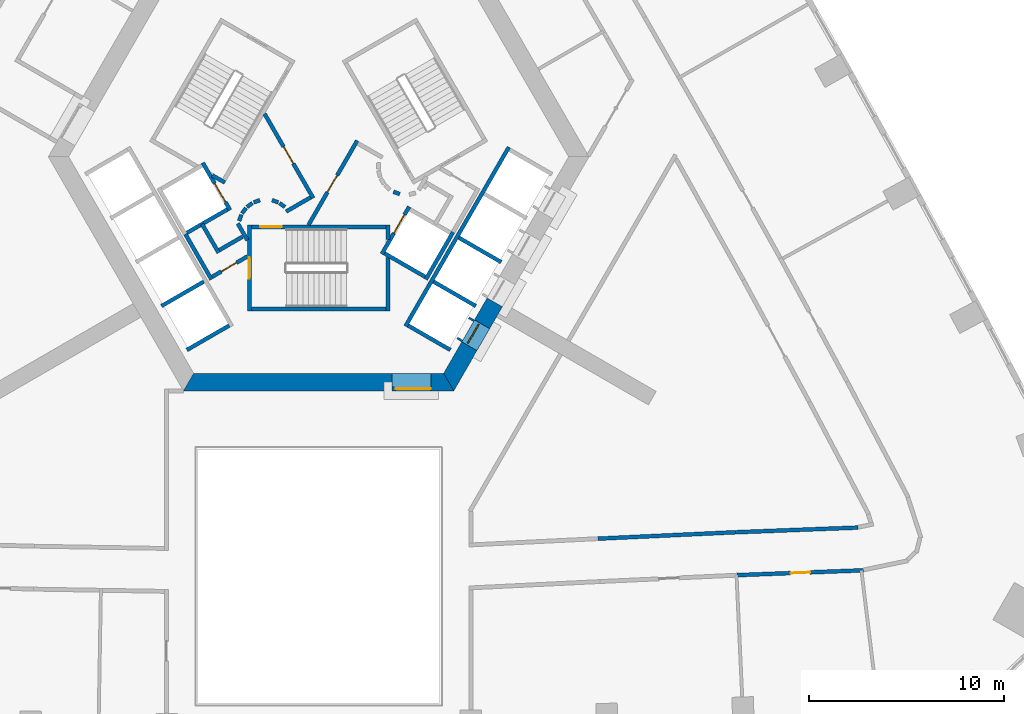
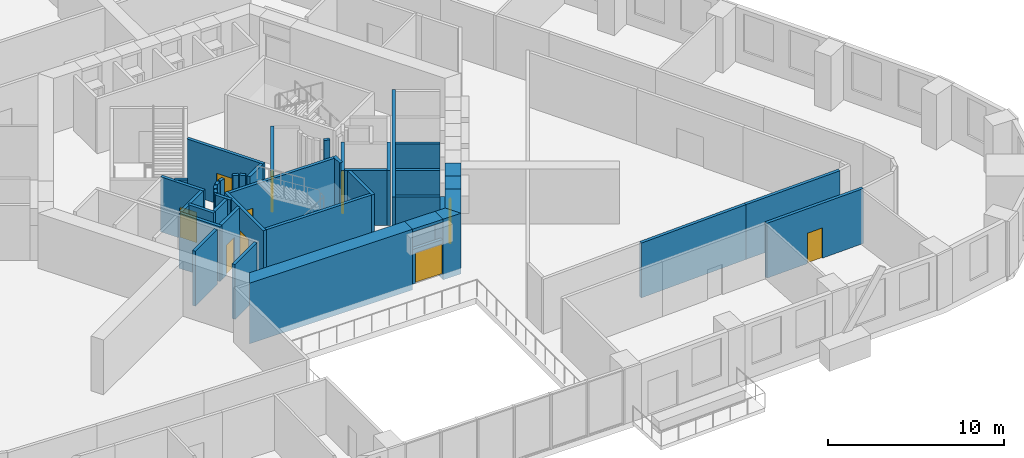
# One storey, part 6 of 14: 43 walls, 10 doors, 10 openings.
"""IFC4 building model written with IfcOpenShell, lengths in metres."""

from ifc_helpers import new_model, si_unit, direction, frame, frame_2d, origin, place, context, subcontext, project, spatial, polyline, rectangle, outline, extrude, material, layer, layer_set, type_object, element, fill, save


model = new_model("IFC4")

# Units and contexts
model_context = context("Model", 3, precision=1e-05, world=origin(), true_north=direction((0.0, 1.0)))
body_context = subcontext(model_context, "Body", "Model", "MODEL_VIEW")
ifc_project = project(units=[si_unit("LENGTHUNIT", "METRE"), si_unit("AREAUNIT", "SQUARE_METRE"), si_unit("VOLUMEUNIT", "CUBIC_METRE"), si_unit("PLANEANGLEUNIT", "RADIAN"), si_unit("MASSUNIT", "GRAM", prefix="KILO")], contexts=[model_context])

# Site, building, storey
site_placement = place(None, origin())
site = spatial("IfcSite", under=ifc_project, at=site_placement, CompositionType="ELEMENT")
building_placement = place(site_placement, origin())
building = spatial("IfcBuilding", under=site, at=building_placement, Name="Entoto Arch Interchange Tower", CompositionType="ELEMENT")
storey_placement = place(building_placement, frame((0.0, 0.0, 116.0)))
storey = spatial("IfcBuildingStorey", under=building, at=storey_placement, Name="L25", CompositionType="ELEMENT", Elevation=116.0)

# Wall, opening, door
ifc_material_1 = material(Name="Reinforced concrete C40/50", Category="concrete")
ifc_layer_1 = layer(ifc_material_1, 0.199951171875)
ifc_layer_set_1 = layer_set([ifc_layer_1], Name="Reinforced concrete C40/50")
wall_type_1 = type_object("IfcWallType", Name="CORE GAP INFILL WALL", PredefinedType="PARTITIONING", material=ifc_layer_set_1)
wall_1_placement = place(storey_placement, frame((3.75, -9.39990234375, 0.0), z_axis=(0.0, 0.0, 1.0), x_axis=(1.0, 0.0, 0.0)))
wall_1 = element("IfcWall", 1, at=wall_1_placement, inside=storey, type_object=wall_type_1, Name="wall:L25:gap1", PredefinedType="PARTITIONING", context=body_context, shape_type="SweptSolid", body=[
    extrude(rectangle(XDim=2.0, YDim=0.199951171875, at=frame_2d((1.0, 0.0))), origin(), (0.0, 0.0, 1.0), 2.39990234375),
])
opening_1_placement = place(wall_1_placement, frame((0.18994140625, 0.0, 0.0)))
opening_1 = element("IfcOpeningElement", 2, at=opening_1_placement, cuts=wall_1, Name="Opening L25-D91", PredefinedType="OPENING", context=body_context, shape_type="SweptSolid", body=[
    extrude(rectangle(XDim=1.800048828125, YDim=2.10009765625, at=frame_2d((0.89990234375, 1.050048828125))), frame((0.0, 0.10986328125, 0.0), z_axis=(0.0, -1.0, 0.0), x_axis=(1.0, 0.0, 0.0)), (0.0, 0.0, 1.0), 0.219970703125),
])
ifc_material_2 = material(Name="Fire-rated Steel S235 door and frame", Category="steel")
door_type_1 = type_object("IfcDoorType", Name="DOOR FD-18 1800x2100", OperationType="DOUBLE_DOOR_SINGLE_SWING", PredefinedType="DOOR", material=ifc_material_2)
door_1_placement = place(opening_1_placement, origin())
door_1 = element("IfcDoor", 3, at=door_1_placement, inside=storey, type_object=door_type_1, Name="door:L25:gap1", OperationType="DOUBLE_DOOR_SINGLE_SWING", OverallHeight=2.10009765625, OverallWidth=1.800048828125, PredefinedType="DOOR", context=body_context, shape_type="SweptSolid", body=[
    extrude(rectangle(XDim=1.800048828125, YDim=2.10009765625, at=frame_2d((0.89990234375, 1.050048828125))), frame((0.0, 0.02490234375, 0.0), z_axis=(0.0, -1.0, 0.0), x_axis=(1.0, 0.0, 0.0)), (0.0, 0.0, 1.0), 0.050048828125),
])
fill(opening_1, door_1)

# Walls
ifc_material_3 = material(Name="Concrete C60/75", Category="concrete")
ifc_layer_2 = layer(ifc_material_3, 0.89990234375)
ifc_layer_set_2 = layer_set([ifc_layer_2], Name="Concrete C60/75")
wall_type_2 = type_object("IfcWallType", Name="Core wall 900 C60/75", PredefinedType="SHEAR", material=ifc_layer_set_2)
wall_2_placement = place(storey_placement, frame((0.0, 0.0, -0.39990234375)))
element("IfcWall", 4, at=wall_2_placement, inside=storey, type_object=wall_type_2, Name="Core wall S L25", PredefinedType="SHEAR", context=body_context, shape_type="SweptSolid", body=[
    extrude(outline(polyline([(3.75, -9.5), (3.75, -8.60009765625), (-6.408935546875, -8.60009765625), (-6.927978515625, -9.5), (3.75, -9.5)])), origin(), (0.0, 0.0, 1.0), 4.199951171875),
])
wall_3_placement = place(storey_placement, frame((0.0, 0.0, -0.39990234375)))
element("IfcWall", 5, at=wall_3_placement, inside=storey, type_object=wall_type_2, Name="Core wall S L25", PredefinedType="SHEAR", context=body_context, shape_type="SweptSolid", body=[
    extrude(outline(polyline([(5.75, -8.60009765625), (5.75, -9.5), (6.927978515625, -9.5), (6.408935546875, -8.60009765625), (5.75, -8.60009765625)])), origin(), (0.0, 0.0, 1.0), 4.199951171875),
])
wall_4_placement = place(storey_placement, frame((0.0, 0.0, 3.60009765625)))
element("IfcWall", 6, at=wall_4_placement, inside=storey, type_object=wall_type_2, Name="Core wall lintel S L25", PredefinedType="SHEAR", context=body_context, shape_type="SweptSolid", body=[
    extrude(outline(polyline([(5.75, -9.5), (5.75, -8.60009765625), (3.75, -8.60009765625), (3.75, -9.5), (5.75, -9.5)])), origin(), (0.0, 0.0, 1.0), 0.199951171875),
])
wall_5_placement = place(storey_placement, frame((0.0, 0.0, -0.39990234375)))
element("IfcWall", 7, at=wall_5_placement, inside=storey, type_object=wall_type_2, Name="Core wall SE L25", PredefinedType="SHEAR", context=body_context, shape_type="SweptSolid", body=[
    extrude(outline(polyline([(8.116943359375, -7.43994140625), (7.337890625, -6.989990234375), (6.408935546875, -8.60009765625), (6.927978515625, -9.5), (8.116943359375, -7.43994140625)])), origin(), (0.0, 0.0, 1.0), 4.199951171875),
])
wall_6_placement = place(storey_placement, frame((0.0, 0.0, -0.39990234375)))
element("IfcWall", 8, at=wall_6_placement, inside=storey, type_object=wall_type_2, Name="Core wall SE L25", PredefinedType="SHEAR", context=body_context, shape_type="SweptSolid", body=[
    extrude(outline(polyline([(9.4169921875, -5.18896484375), (8.637939453125, -4.739013671875), (7.988037109375, -5.864013671875), (8.76708984375, -6.31396484375), (9.4169921875, -5.18896484375)])), origin(), (0.0, 0.0, 1.0), 4.199951171875),
])
wall_7_placement = place(storey_placement, frame((0.0, 0.0, 3.60009765625)))
element("IfcWall", 9, at=wall_7_placement, inside=storey, type_object=wall_type_2, Name="Core wall lintel SE L25", PredefinedType="SHEAR", context=body_context, shape_type="SweptSolid", body=[
    extrude(outline(polyline([(8.76708984375, -6.31396484375), (7.988037109375, -5.864013671875), (7.337890625, -6.989990234375), (8.116943359375, -7.43994140625), (8.76708984375, -6.31396484375)])), origin(), (0.0, 0.0, 1.0), 0.199951171875),
])

# Wall, opening, door
ifc_material_4 = material(Name="Concrete C40/50", Category="concrete")
ifc_layer_3 = layer(ifc_material_4, 1.199951171875)
ifc_layer_set_3 = layer_set([ifc_layer_3], Name="Concrete C40/50")
wall_type_3 = type_object("IfcWallType", Name="LIFT LANDING INFILL WALL", PredefinedType="STANDARD", material=ifc_layer_set_3)
wall_8_placement = place(storey_placement, frame((7.597900390625, -7.139892578125, 0.0), z_axis=(0.0, 0.0, 1.0), x_axis=(0.500362116554, 0.865816234728, 0.0)))
wall_8 = element("IfcWall", 10, at=wall_8_placement, inside=storey, type_object=wall_type_3, Name="Lift landing infill wall LR5 L25", PredefinedType="STANDARD", context=body_context, shape_type="SweptSolid", body=[
    extrude(rectangle(XDim=1.29931640625, YDim=1.199951171875, at=frame_2d((0.649658203125, 0.0))), origin(), (0.0, 0.0, 1.0), 2.39990234375),
])
opening_2_placement = place(wall_8_placement, frame((0.10009765625, 0.0, 0.0)))
opening_2 = element("IfcOpeningElement", 11, at=opening_2_placement, cuts=wall_8, Name="Opening LD-LR5-L25", PredefinedType="OPENING", context=body_context, shape_type="SweptSolid", body=[
    extrude(rectangle(XDim=1.10009765625, YDim=2.300048828125, at=frame_2d((0.550048828125, 1.14990234375))), frame((0.0, 0.60986328125, 0.0), z_axis=(0.0, -1.0, 0.0), x_axis=(1.0, 0.0, 0.0)), (0.0, 0.0, 1.0), 1.219970703125),
])
ifc_material_5 = material(Name="Stainless steel 1.4301 panels", Category="steel")
door_type_2 = type_object("IfcDoorType", Name="LIFT LANDING DOOR LD2 1100x2300", OperationType="SLIDING_TO_LEFT", PredefinedType="DOOR", material=ifc_material_5)
door_2_placement = place(opening_2_placement, origin())
door_2 = element("IfcDoor", 12, at=door_2_placement, inside=storey, type_object=door_type_2, Name="Lift landing door LR5 L25", OperationType="SLIDING_TO_LEFT", OverallHeight=2.300048828125, OverallWidth=1.10009765625, PredefinedType="DOOR", context=body_context, shape_type="SweptSolid", body=[
    extrude(rectangle(XDim=1.10009765625, YDim=2.300048828125, at=frame_2d((0.550048828125, 1.14990234375))), frame((0.0, 0.02490234375, 0.0), z_axis=(0.0, -1.0, 0.0), x_axis=(1.0, 0.0, 0.0)), (0.0, 0.0, 1.0), 0.050048828125),
])
fill(opening_2, door_2)

ifc_layer_4 = layer(ifc_material_4, 0.199951171875)
ifc_layer_set_4 = layer_set([ifc_layer_4], Name="Concrete C40/50")
wall_type_4 = type_object("IfcWallType", Name="LIFT SHAFT WALL 200", PredefinedType="STANDARD", material=ifc_layer_set_4)
wall_9_placement = place(storey_placement, frame((-5.93994140625, 2.18798828125, 0.0), z_axis=(0.0, 0.0, 1.0), x_axis=(0.49994636267, -0.866056369097, 0.0)))
wall_9 = element("IfcWall", 13, at=wall_9_placement, inside=storey, type_object=wall_type_4, Name="Shaft wall SW1 front", PredefinedType="STANDARD", context=body_context, shape_type="SweptSolid", body=[
    extrude(rectangle(XDim=2.800048828125, YDim=0.199951171875, at=frame_2d((1.39990234375, 0.0))), origin(), (0.0, 0.0, 1.0), 3.800048828125),
])
opening_3_placement = place(wall_9_placement, frame((1.22509765625, 0.0, 0.0)))
opening_3 = element("IfcOpeningElement", 14, at=opening_3_placement, cuts=wall_9, Name="Opening LD-FF2-L25", PredefinedType="OPENING", context=body_context, shape_type="SweptSolid", body=[
    extrude(rectangle(XDim=1.10009765625, YDim=2.10009765625, at=frame_2d((0.550048828125, 1.050048828125))), frame((0.0, 0.10986328125, 0.0), z_axis=(0.0, -1.0, 0.0), x_axis=(1.0, 0.0, 0.0)), (0.0, 0.0, 1.0), 0.219970703125),
])
door_type_3 = type_object("IfcDoorType", Name="LIFT LANDING DOOR LD1 1100x2100", OperationType="SLIDING_TO_LEFT", PredefinedType="DOOR", material=ifc_material_5)
door_3_placement = place(opening_3_placement, origin())
door_3 = element("IfcDoor", 15, at=door_3_placement, inside=storey, type_object=door_type_3, Name="Lift landing door FF2 L25", OperationType="SLIDING_TO_LEFT", OverallHeight=2.10009765625, OverallWidth=1.10009765625, PredefinedType="DOOR", context=body_context, shape_type="SweptSolid", body=[
    extrude(rectangle(XDim=1.10009765625, YDim=2.10009765625, at=frame_2d((0.550048828125, 1.050048828125))), frame((0.0, 0.02490234375, 0.0), z_axis=(0.0, -1.0, 0.0), x_axis=(1.0, 0.0, 0.0)), (0.0, 0.0, 1.0), 0.050048828125),
])
fill(opening_3, door_3)

# Walls
wall_10_placement = place(storey_placement, frame((-4.677001953125, -0.199951171875, 0.0), z_axis=(0.0, 0.0, 1.0), x_axis=(-0.865973769406, -0.500089422704, 0.0)))
element("IfcWall", 16, at=wall_10_placement, inside=storey, type_object=wall_type_4, Name="Shaft wall SW1 cross 2", PredefinedType="STANDARD", context=body_context, shape_type="SweptSolid", body=[
    extrude(rectangle(XDim=2.3994140625, YDim=0.199951171875, at=frame_2d((1.19970703125, 0.0))), origin(), (0.0, 0.0, 1.0), 3.800048828125),
])
for number, where, z_axis, x_axis, name in (
    (17, (-5.887939453125, -3.902099609375, 0.0), (0.0, 0.0, 1.0), (-0.866022959057, -0.500004234368, 0.0), "Shaft wall SW3 cross 4"),
    (18, (-4.587890625, -6.153076171875, 0.0), (0.0, 0.0, 1.0), (-0.866022959057, -0.500004234368, 0.0), "Shaft wall SW3 cross 5"),
):
    element("IfcWall", number, at=place(storey_placement, frame(where, z_axis=z_axis, x_axis=x_axis)), inside=storey, type_object=wall_type_4, Name=name, PredefinedType="STANDARD", context=body_context, shape_type="SweptSolid", body=[
        extrude(rectangle(XDim=2.5, YDim=0.199951171875, at=frame_2d((1.25, 0.0))), origin(), (0.0, 0.0, 1.0), 3.800048828125),
    ])

# Wall, opening, door
wall_11_placement = place(storey_placement, frame((3.239990234375, -2.488037109375, 0.0), z_axis=(0.0, 0.0, 1.0), x_axis=(0.49994636267, 0.866056369097, 0.0)))
wall_11 = element("IfcWall", 19, at=wall_11_placement, inside=storey, type_object=wall_type_4, Name="Shaft wall SE1 front", PredefinedType="STANDARD", context=body_context, shape_type="SweptSolid", body=[
    extrude(rectangle(XDim=2.800048828125, YDim=0.199951171875, at=frame_2d((1.39990234375, 0.0))), origin(), (0.0, 0.0, 1.0), 3.800048828125),
])
opening_4_placement = place(wall_11_placement, frame((1.22509765625, 0.0, 0.0)))
opening_4 = element("IfcOpeningElement", 20, at=opening_4_placement, cuts=wall_11, Name="Opening LD-FF1-L25", PredefinedType="OPENING", context=body_context, shape_type="SweptSolid", body=[
    extrude(rectangle(XDim=1.10009765625, YDim=2.10009765625, at=frame_2d((0.550048828125, 1.050048828125))), frame((0.0, 0.10986328125, 0.0), z_axis=(0.0, -1.0, 0.0), x_axis=(1.0, 0.0, 0.0)), (0.0, 0.0, 1.0), 0.219970703125),
])
door_4_placement = place(opening_4_placement, origin())
door_4 = element("IfcDoor", 21, at=door_4_placement, inside=storey, type_object=door_type_3, Name="Lift landing door FF1 L25", OperationType="SLIDING_TO_LEFT", OverallHeight=2.10009765625, OverallWidth=1.10009765625, PredefinedType="DOOR", context=body_context, shape_type="SweptSolid", body=[
    extrude(rectangle(XDim=1.10009765625, YDim=2.10009765625, at=frame_2d((0.550048828125, 1.050048828125))), frame((0.0, 0.02490234375, 0.0), z_axis=(0.0, -1.0, 0.0), x_axis=(1.0, 0.0, 0.0)), (0.0, 0.0, 1.0), 0.050048828125),
])
fill(opening_4, door_4)

# Walls
wall_12_placement = place(storey_placement, frame((5.491943359375, -3.7880859375, 0.0), z_axis=(0.0, 0.0, 1.0), x_axis=(0.500011755427, 0.866018616679, 0.0)))
element("IfcWall", 22, at=wall_12_placement, inside=storey, type_object=wall_type_4, Name="Shaft wall SE1 back", PredefinedType="STANDARD", context=body_context, shape_type="SweptSolid", body=[
    extrude(rectangle(XDim=2.80029296875, YDim=0.199951171875, at=frame_2d((1.400146484375, 0.0))), origin(), (0.0, 0.0, 1.0), 3.800048828125),
])
wall_13_placement = place(storey_placement, frame((3.376953125, -2.451904296875, 0.0), z_axis=(0.0, 0.0, 1.0), x_axis=(0.865955154139, -0.50012165622, 0.0)))
element("IfcWall", 23, at=wall_13_placement, inside=storey, type_object=wall_type_4, Name="Shaft wall SE1 cross 1", PredefinedType="STANDARD", context=body_context, shape_type="SweptSolid", body=[
    extrude(rectangle(XDim=2.39990234375, YDim=0.199951171875, at=frame_2d((1.199951171875, 0.0))), origin(), (0.0, 0.0, 1.0), 3.800048828125),
])
wall_14_placement = place(storey_placement, frame((4.450927734375, -6.18994140625, 0.0), z_axis=(0.0, 0.0, 1.0), x_axis=(0.50000090737, 0.866024879913, 0.0)))
element("IfcWall", 24, at=wall_14_placement, inside=storey, type_object=wall_type_4, Name="Shaft wall SE3 front", PredefinedType="STANDARD", context=body_context, shape_type="SweptSolid", body=[
    extrude(rectangle(XDim=10.60009765625, YDim=0.199951171875, at=frame_2d((5.300048828125, 0.0))), origin(), (0.0, 0.0, 1.0), 3.800048828125),
])
for number, where, z_axis, x_axis, name in (
    (25, (4.587890625, -6.153076171875, 0.0), (0.0, 0.0, 1.0), (0.866022959057, -0.500004234368, 0.0), "Shaft wall SE3 cross 1"),
    (26, (5.887939453125, -3.902099609375, 0.0), (0.0, 0.0, 1.0), (0.866022959057, -0.500004234368, 0.0), "Shaft wall SE3 cross 2"),
    (27, (7.18798828125, -1.64990234375, 0.0), (0.0, 0.0, 1.0), (0.866022959057, -0.500004234368, 0.0), "Shaft wall SE3 cross 3"),
):
    element("IfcWall", number, at=place(storey_placement, frame(where, z_axis=z_axis, x_axis=x_axis)), inside=storey, type_object=wall_type_4, Name=name, PredefinedType="STANDARD", context=body_context, shape_type="SweptSolid", body=[
        extrude(rectangle(XDim=2.5, YDim=0.199951171875, at=frame_2d((1.25, 0.0))), origin(), (0.0, 0.0, 1.0), 3.800048828125),
    ])
ifc_material_6 = material(Name="Gypsum board partition on steel studs", Category="steel")
ifc_layer_5 = layer(ifc_material_6, 0.199951171875)
ifc_layer_set_5 = layer_set([ifc_layer_5], Name="Gypsum board partition on steel studs")
wall_type_5 = type_object("IfcWallType", Name="PARTITION 200", PredefinedType="PARTITIONING", material=ifc_layer_set_5)
wall_15_placement = place(storey_placement, frame((14.31201171875, -17.077880859375, 0.0), z_axis=(0.0, 0.0, 1.0), x_axis=(0.998919675224, 0.046470231869, 0.0)))
element("IfcWall", 28, at=wall_15_placement, inside=storey, type_object=wall_type_5, Name="wall:L25:p019", PredefinedType="PARTITIONING", context=body_context, shape_type="SweptSolid", body=[
    extrude(rectangle(XDim=7.0556640625, YDim=0.199951171875, at=frame_2d((3.52783203125, 0.0))), origin(), (0.0, 0.0, 1.0), 3.800048828125),
])
wall_16_placement = place(storey_placement, frame((21.360107421875, -16.75, 0.0), z_axis=(0.0, 0.0, 1.0), x_axis=(0.999267915235, 0.038257464404, 0.0)))
element("IfcWall", 29, at=wall_16_placement, inside=storey, type_object=wall_type_5, Name="wall:L25:p020", PredefinedType="PARTITIONING", context=body_context, shape_type="SweptSolid", body=[
    extrude(rectangle(XDim=6.298583984375, YDim=0.199951171875, at=frame_2d((3.1494140625, 0.0))), origin(), (0.0, 0.0, 1.0), 3.800048828125),
])

# Wall, opening, door
wall_17_placement = place(storey_placement, frame((27.922119140625, -18.699951171875, 0.0), z_axis=(0.0, 0.0, 1.0), x_axis=(-0.999265458352, -0.038321583274, 0.0)))
wall_17 = element("IfcWall", 30, at=wall_17_placement, inside=storey, type_object=wall_type_5, Name="wall:L25:p038", PredefinedType="PARTITIONING", context=body_context, shape_type="SweptSolid", body=[
    extrude(rectangle(XDim=6.47265625, YDim=0.199951171875, at=frame_2d((3.236328125, 0.0))), origin(), (0.0, 0.0, 1.0), 3.800048828125),
])
opening_5_placement = place(wall_17_placement, frame((2.736083984375, 0.0, 0.0)))
opening_5 = element("IfcOpeningElement", 31, at=opening_5_placement, cuts=wall_17, Name="Opening L25-D02", PredefinedType="OPENING", context=body_context, shape_type="SweptSolid", body=[
    extrude(rectangle(XDim=1.0, YDim=2.10009765625, at=frame_2d((0.5, 1.050048828125))), frame((0.0, 0.10986328125, 0.0), z_axis=(0.0, -1.0, 0.0), x_axis=(1.0, 0.0, 0.0)), (0.0, 0.0, 1.0), 0.219970703125),
])
ifc_material_7 = material(Name="Timber door leaf in Steel S235 frame", Category="steel")
door_type_4 = type_object("IfcDoorType", Name="DOOR DS-10 1000x2100", OperationType="SINGLE_SWING_LEFT", PredefinedType="DOOR", material=ifc_material_7)
door_5_placement = place(opening_5_placement, origin())
door_5 = element("IfcDoor", 32, at=door_5_placement, inside=storey, type_object=door_type_4, Name="door:L25:02", OperationType="SINGLE_SWING_LEFT", OverallHeight=2.10009765625, OverallWidth=1.0, PredefinedType="DOOR", context=body_context, shape_type="SweptSolid", body=[
    extrude(rectangle(XDim=1.0, YDim=2.10009765625, at=frame_2d((0.5, 1.050048828125))), frame((0.0, 0.02490234375, 0.0), z_axis=(0.0, -1.0, 0.0), x_axis=(1.0, 0.0, 0.0)), (0.0, 0.0, 1.0), 0.050048828125),
])
fill(opening_5, door_5)

# Walls
wall_18_placement = place(storey_placement, frame((-3.89990234375, -1.59912109375, 0.0), z_axis=(0.0, 0.0, 1.0), x_axis=(-0.865969445389, -0.500096910261, 0.0)))
element("IfcWall", 33, at=wall_18_placement, inside=storey, type_object=wall_type_5, Name="wall:L25:p084", PredefinedType="PARTITIONING", context=body_context, shape_type="SweptSolid", body=[
    extrude(rectangle(XDim=1.373291015625, YDim=0.199951171875, at=frame_2d((0.6865234375, 0.0))), origin(), (0.0, 0.0, 1.0), 3.800048828125),
])
wall_19_placement = place(storey_placement, frame((-5.1259765625, -2.422119140625, 0.0), z_axis=(0.0, 0.0, 1.0), x_axis=(-0.500062241894, 0.865989465428, 0.0)))
element("IfcWall", 34, at=wall_19_placement, inside=storey, type_object=wall_type_5, Name="wall:L25:p085", PredefinedType="PARTITIONING", context=body_context, shape_type="SweptSolid", body=[
    extrude(rectangle(XDim=1.699951171875, YDim=0.199951171875, at=frame_2d((0.85009765625, 0.0))), origin(), (0.0, 0.0, 1.0), 3.800048828125),
])

# Wall, opening, door
wall_20_placement = place(storey_placement, frame((-3.64990234375, -2.610107421875, 0.0), z_axis=(0.0, 0.0, 1.0), x_axis=(-0.866072462134, -0.499918483688, 0.0)))
wall_20 = element("IfcWall", 35, at=wall_20_placement, inside=storey, type_object=wall_type_5, Name="wall:L25:p086", PredefinedType="PARTITIONING", context=body_context, shape_type="SweptSolid", body=[
    extrude(rectangle(XDim=2.084228515625, YDim=0.199951171875, at=frame_2d((1.0419921875, 0.0))), origin(), (0.0, 0.0, 1.0), 3.800048828125),
])
opening_6_placement = place(wall_20_placement, frame((0.64208984375, 0.0, 0.0)))
opening_6 = element("IfcOpeningElement", 36, at=opening_6_placement, cuts=wall_20, Name="Opening L25-D31", PredefinedType="OPENING", context=body_context, shape_type="SweptSolid", body=[
    extrude(rectangle(XDim=0.89990234375, YDim=2.10009765625, at=frame_2d((0.449951171875, 1.050048828125))), frame((0.0, 0.10986328125, 0.0), z_axis=(0.0, -1.0, 0.0), x_axis=(1.0, 0.0, 0.0)), (0.0, 0.0, 1.0), 0.219970703125),
])
door_type_5 = type_object("IfcDoorType", Name="DOOR DS-09 900x2100", OperationType="SINGLE_SWING_LEFT", PredefinedType="DOOR", material=ifc_material_7)
door_6_placement = place(opening_6_placement, origin())
door_6 = element("IfcDoor", 37, at=door_6_placement, inside=storey, type_object=door_type_5, Name="door:L25:31", OperationType="SINGLE_SWING_LEFT", OverallHeight=2.10009765625, OverallWidth=0.89990234375, PredefinedType="DOOR", context=body_context, shape_type="SweptSolid", body=[
    extrude(rectangle(XDim=0.89990234375, YDim=2.10009765625, at=frame_2d((0.449951171875, 1.050048828125))), frame((0.0, 0.02490234375, 0.0), z_axis=(0.0, -1.0, 0.0), x_axis=(1.0, 0.0, 0.0)), (0.0, 0.0, 1.0), 0.050048828125),
])
fill(opening_6, door_6)

# Walls
wall_21_placement = place(storey_placement, frame((-5.491943359375, -3.7880859375, 0.0), z_axis=(0.0, 0.0, 1.0), x_axis=(-0.500008949224, 0.866020236886, 0.0)))
element("IfcWall", 38, at=wall_21_placement, inside=storey, type_object=wall_type_5, Name="wall:L25:p087", PredefinedType="PARTITIONING", context=body_context, shape_type="SweptSolid", body=[
    extrude(rectangle(XDim=2.68017578125, YDim=0.199951171875, at=frame_2d((1.340087890625, 0.0))), origin(), (0.0, 0.0, 1.0), 3.800048828125),
])
wall_22_placement = place(storey_placement, frame((-4.14501953125, -0.919921875, 0.0), z_axis=(0.0, 0.0, 1.0), x_axis=(0.499743786207, -0.866173278362, 0.0)))
element("IfcWall", 39, at=wall_22_placement, inside=storey, type_object=wall_type_5, Name="wall:L25:p088", PredefinedType="PARTITIONING", context=body_context, shape_type="SweptSolid", body=[
    extrude(rectangle(XDim=0.99072265625, YDim=0.199951171875, at=frame_2d((0.495361328125, 0.0))), origin(), (0.0, 0.0, 1.0), 3.800048828125),
])

# Wall, opening, door
wall_23_placement = place(storey_placement, frame((-0.52001953125, -1.0, 0.0), z_axis=(0.0, 0.0, 1.0), x_axis=(0.50011622646, 0.865958290007, 0.0)))
wall_23 = element("IfcWall", 40, at=wall_23_placement, inside=storey, type_object=wall_type_5, Name="wall:L25:p093", PredefinedType="PARTITIONING", context=body_context, shape_type="SweptSolid", body=[
    extrude(rectangle(XDim=4.990966796875, YDim=0.199951171875, at=frame_2d((2.49560546875, 0.0))), origin(), (0.0, 0.0, 1.0), 3.800048828125),
])
opening_7_placement = place(wall_23_placement, frame((1.945068359375, 0.0, 0.0)))
opening_7 = element("IfcOpeningElement", 41, at=opening_7_placement, cuts=wall_23, Name="Opening L25-D28", PredefinedType="OPENING", context=body_context, shape_type="SweptSolid", body=[
    extrude(rectangle(XDim=1.0, YDim=2.10009765625, at=frame_2d((0.5, 1.050048828125))), frame((0.0, 0.10986328125, 0.0), z_axis=(0.0, -1.0, 0.0), x_axis=(1.0, 0.0, 0.0)), (0.0, 0.0, 1.0), 0.219970703125),
])
door_type_6 = type_object("IfcDoorType", Name="DOOR FD-10 1000x2100", OperationType="SINGLE_SWING_LEFT", PredefinedType="DOOR", material=ifc_material_2)
door_7_placement = place(opening_7_placement, origin())
door_7 = element("IfcDoor", 42, at=door_7_placement, inside=storey, type_object=door_type_6, Name="door:L25:28", OperationType="SINGLE_SWING_LEFT", OverallHeight=2.10009765625, OverallWidth=1.0, PredefinedType="DOOR", context=body_context, shape_type="SweptSolid", body=[
    extrude(rectangle(XDim=1.0, YDim=2.10009765625, at=frame_2d((0.5, 1.050048828125))), frame((0.0, 0.02490234375, 0.0), z_axis=(0.0, -1.0, 0.0), x_axis=(1.0, 0.0, 0.0)), (0.0, 0.0, 1.0), 0.050048828125),
])
fill(opening_7, door_7)

# Wall
wall_24_placement = place(storey_placement, frame((3.837890625, 0.701904296875, 0.0), z_axis=(0.0, 0.0, 1.0), x_axis=(0.941035081519, -0.338308993895, 0.0)))
element("IfcWall", 43, at=wall_24_placement, inside=storey, type_object=wall_type_5, Name="wall:L25:p099", PredefinedType="PARTITIONING", context=body_context, shape_type="SweptSolid", body=[
    extrude(rectangle(XDim=0.3369140625, YDim=0.199951171875, at=frame_2d((0.16845703125, 0.0))), origin(), (0.0, 0.0, 1.0), 3.800048828125),
])

# Wall, opening, door
wall_25_placement = place(storey_placement, frame((-2.77099609375, 4.699951171875, 0.0), z_axis=(0.0, 0.0, 1.0), x_axis=(0.499969479948, -0.866043023828, 0.0)))
wall_25 = element("IfcWall", 44, at=wall_25_placement, inside=storey, type_object=wall_type_5, Name="wall:L25:p101", PredefinedType="PARTITIONING", context=body_context, shape_type="SweptSolid", body=[
    extrude(rectangle(XDim=4.990478515625, YDim=0.199951171875, at=frame_2d((2.4951171875, 0.0))), origin(), (0.0, 0.0, 1.0), 3.800048828125),
])
opening_8_placement = place(wall_25_placement, frame((1.945068359375, 0.0, 0.0)))
opening_8 = element("IfcOpeningElement", 45, at=opening_8_placement, cuts=wall_25, Name="Opening L25-D29", PredefinedType="OPENING", context=body_context, shape_type="SweptSolid", body=[
    extrude(rectangle(XDim=1.0, YDim=2.10009765625, at=frame_2d((0.5, 1.050048828125))), frame((0.0, 0.10986328125, 0.0), z_axis=(0.0, -1.0, 0.0), x_axis=(1.0, 0.0, 0.0)), (0.0, 0.0, 1.0), 0.219970703125),
])
door_8_placement = place(opening_8_placement, origin())
door_8 = element("IfcDoor", 46, at=door_8_placement, inside=storey, type_object=door_type_6, Name="door:L25:29", OperationType="SINGLE_SWING_RIGHT", OverallHeight=2.10009765625, OverallWidth=1.0, PredefinedType="DOOR", context=body_context, shape_type="SweptSolid", body=[
    extrude(rectangle(XDim=1.0, YDim=2.10009765625, at=frame_2d((0.5, 1.050048828125))), frame((0.0, 0.02490234375, 0.0), z_axis=(0.0, -1.0, 0.0), x_axis=(1.0, 0.0, 0.0)), (0.0, 0.0, 1.0), 0.050048828125),
])
fill(opening_8, door_8)

# Walls
wall_26_placement = place(storey_placement, frame((-0.412109375, 0.4140625, 0.0), z_axis=(0.0, 0.0, 1.0), x_axis=(-0.866017369001, -0.500013916395, 0.0)))
element("IfcWall", 47, at=wall_26_placement, inside=storey, type_object=wall_type_5, Name="wall:L25:p102", PredefinedType="PARTITIONING", context=body_context, shape_type="SweptSolid", body=[
    extrude(rectangle(XDim=1.4501953125, YDim=0.199951171875, at=frame_2d((0.72509765625, 0.0))), origin(), (0.0, 0.0, 1.0), 3.800048828125),
])
wall_27_placement = place(storey_placement, frame((-1.73095703125, -0.076904296875, 0.0), z_axis=(0.0, 0.0, 1.0), x_axis=(-0.804311165252, 0.594208338422, 0.0)))
element("IfcWall", 48, at=wall_27_placement, inside=storey, type_object=wall_type_5, Name="wall:L25:p103", PredefinedType="PARTITIONING", context=body_context, shape_type="SweptSolid", body=[
    extrude(rectangle(XDim=0.338134765625, YDim=0.199951171875, at=frame_2d((0.1689453125, 0.0))), origin(), (0.0, 0.0, 1.0), 3.800048828125),
])
wall_28_placement = place(storey_placement, frame((-2.070068359375, 0.159912109375, 0.0), z_axis=(0.0, 0.0, 1.0), x_axis=(-0.942199461132, 0.335052496547, 0.0)))
element("IfcWall", 49, at=wall_28_placement, inside=storey, type_object=wall_type_5, Name="wall:L25:p104", PredefinedType="PARTITIONING", context=body_context, shape_type="SweptSolid", body=[
    extrude(rectangle(XDim=0.33740234375, YDim=0.199951171875, at=frame_2d((0.168701171875, 0.0))), origin(), (0.0, 0.0, 1.0), 3.800048828125),
])
wall_29_placement = place(storey_placement, frame((-3.011962890625, 0.27294921875, 0.0), z_axis=(0.0, 0.0, 1.0), x_axis=(-0.942280615813, -0.334824194261, 0.0)))
element("IfcWall", 50, at=wall_29_placement, inside=storey, type_object=wall_type_5, Name="wall:L25:p105", PredefinedType="PARTITIONING", context=body_context, shape_type="SweptSolid", body=[
    extrude(rectangle(XDim=0.337646484375, YDim=0.199951171875, at=frame_2d((0.1689453125, 0.0))), origin(), (0.0, 0.0, 1.0), 3.800048828125),
])
wall_30_placement = place(storey_placement, frame((-3.39697265625, 0.1240234375, 0.0), z_axis=(0.0, 0.0, 1.0), x_axis=(-0.804311165252, -0.594208338422, 0.0)))
element("IfcWall", 51, at=wall_30_placement, inside=storey, type_object=wall_type_5, Name="wall:L25:p106", PredefinedType="PARTITIONING", context=body_context, shape_type="SweptSolid", body=[
    extrude(rectangle(XDim=0.338134765625, YDim=0.199951171875, at=frame_2d((0.1689453125, 0.0))), origin(), (0.0, 0.0, 1.0), 3.800048828125),
])
wall_31_placement = place(storey_placement, frame((-3.722900390625, -0.131103515625, 0.0), z_axis=(0.0, 0.0, 1.0), x_axis=(-0.594675113454, -0.803966112121, 0.0)))
element("IfcWall", 52, at=wall_31_placement, inside=storey, type_object=wall_type_5, Name="wall:L25:p107", PredefinedType="PARTITIONING", context=body_context, shape_type="SweptSolid", body=[
    extrude(rectangle(XDim=0.33837890625, YDim=0.199951171875, at=frame_2d((0.169189453125, 0.0))), origin(), (0.0, 0.0, 1.0), 3.800048828125),
])
wall_32_placement = place(storey_placement, frame((-3.9599609375, -0.469970703125, 0.0), z_axis=(0.0, 0.0, 1.0), x_axis=(-0.334824194261, -0.942280615813, 0.0)))
element("IfcWall", 53, at=wall_32_placement, inside=storey, type_object=wall_type_5, Name="wall:L25:p108", PredefinedType="PARTITIONING", context=body_context, shape_type="SweptSolid", body=[
    extrude(rectangle(XDim=0.337646484375, YDim=0.199951171875, at=frame_2d((0.1689453125, 0.0))), origin(), (0.0, 0.0, 1.0), 3.800048828125),
])

# Wall, opening, door
ifc_layer_6 = layer(ifc_material_4, 0.199951171875)
ifc_layer_set_6 = layer_set([ifc_layer_6], Name="Concrete C40/50")
wall_type_6 = type_object("IfcWallType", Name="STAIR ENCLOSURE WALL 200", PredefinedType="STANDARD", material=ifc_layer_set_6)
wall_33_placement = place(storey_placement, frame((-3.550048828125, -1.0, 0.0), z_axis=(0.0, 0.0, 1.0), x_axis=(0.0, -1.0, 0.0)))
wall_33 = element("IfcWall", 54, at=wall_33_placement, inside=storey, type_object=wall_type_6, Name="Stair wall ST-S near", PredefinedType="STANDARD", context=body_context, shape_type="SweptSolid", body=[
    extrude(rectangle(XDim=4.39990234375, YDim=0.199951171875, at=frame_2d((2.199951171875, 0.0))), origin(), (0.0, 0.0, 1.0), 3.800048828125),
])
opening_9_placement = place(wall_33_placement, frame((1.64990234375, 0.0, 0.0)))
opening_9 = element("IfcOpeningElement", 55, at=opening_9_placement, cuts=wall_33, Name="Opening SD-ST-S-L25-E", PredefinedType="OPENING", context=body_context, shape_type="SweptSolid", body=[
    extrude(rectangle(XDim=1.10009765625, YDim=2.199951171875, at=frame_2d((0.550048828125, 1.10009765625))), frame((0.0, 0.10986328125, 0.0), z_axis=(0.0, -1.0, 0.0), x_axis=(1.0, 0.0, 0.0)), (0.0, 0.0, 1.0), 0.219970703125),
])
ifc_material_8 = material(Name="Steel S235", Category="steel")
door_type_7 = type_object("IfcDoorType", Name="STAIR DOOR SD1 1100x2200", OperationType="SINGLE_SWING_LEFT", PredefinedType="DOOR", material=ifc_material_8)
door_9_placement = place(opening_9_placement, origin())
door_9 = element("IfcDoor", 56, at=door_9_placement, inside=storey, type_object=door_type_7, Name="Stair door ST-S L25 end", OperationType="SINGLE_SWING_LEFT", OverallHeight=2.199951171875, OverallWidth=1.10009765625, PredefinedType="DOOR", context=body_context, shape_type="SweptSolid", body=[
    extrude(rectangle(XDim=1.10009765625, YDim=2.199951171875, at=frame_2d((0.550048828125, 1.10009765625))), frame((0.0, 0.02490234375, 0.0), z_axis=(0.0, -1.0, 0.0), x_axis=(1.0, 0.0, 0.0)), (0.0, 0.0, 1.0), 0.050048828125),
])
fill(opening_9, door_9)

# Walls
wall_34_placement = place(storey_placement, frame((3.550048828125, -2.6669921875, 0.0), z_axis=(0.0, 0.0, 1.0), x_axis=(0.0, -1.0, 0.0)))
element("IfcWall", 57, at=wall_34_placement, inside=storey, type_object=wall_type_6, Name="Stair wall ST-S far", PredefinedType="STANDARD", context=body_context, shape_type="SweptSolid", body=[
    extrude(rectangle(XDim=2.73291015625, YDim=0.199951171875, at=frame_2d((1.366455078125, 0.0))), origin(), (0.0, 0.0, 1.0), 3.800048828125),
])
wall_35_placement = place(storey_placement, frame((3.550048828125, -1.0, 0.0), z_axis=(0.0, 0.0, 1.0), x_axis=(0.0, -1.0, 0.0)))
element("IfcWall", 58, at=wall_35_placement, inside=storey, type_object=wall_type_6, Name="Stair wall ST-S far return", PredefinedType="STANDARD", context=body_context, shape_type="SweptSolid", body=[
    extrude(rectangle(XDim=0.7509765625, YDim=0.199951171875, at=frame_2d((0.37548828125, 0.0))), origin(), (0.0, 0.0, 1.0), 3.800048828125),
])

# Wall, opening, door
wall_36_placement = place(storey_placement, frame((-3.449951171875, -1.10009765625, 0.0), z_axis=(0.0, 0.0, 1.0), x_axis=(1.0, 0.0, 0.0)))
wall_36 = element("IfcWall", 59, at=wall_36_placement, inside=storey, type_object=wall_type_6, Name="Stair wall ST-S hall", PredefinedType="STANDARD", context=body_context, shape_type="SweptSolid", body=[
    extrude(rectangle(XDim=6.89990234375, YDim=0.199951171875, at=frame_2d((3.449951171875, 0.0))), origin(), (0.0, 0.0, 1.0), 3.800048828125),
])
opening_10_placement = place(wall_36_placement, frame((0.449951171875, 0.0, 0.0)))
opening_10 = element("IfcOpeningElement", 60, at=opening_10_placement, cuts=wall_36, Name="Opening SD-ST-S-L25", PredefinedType="OPENING", context=body_context, shape_type="SweptSolid", body=[
    extrude(rectangle(XDim=1.10009765625, YDim=2.199951171875, at=frame_2d((0.550048828125, 1.10009765625))), frame((0.0, 0.10986328125, 0.0), z_axis=(0.0, -1.0, 0.0), x_axis=(1.0, 0.0, 0.0)), (0.0, 0.0, 1.0), 0.219970703125),
])
door_10_placement = place(opening_10_placement, origin())
door_10 = element("IfcDoor", 61, at=door_10_placement, inside=storey, type_object=door_type_7, Name="Stair door ST-S L25", OperationType="SINGLE_SWING_LEFT", OverallHeight=2.199951171875, OverallWidth=1.10009765625, PredefinedType="DOOR", context=body_context, shape_type="SweptSolid", body=[
    extrude(rectangle(XDim=1.10009765625, YDim=2.199951171875, at=frame_2d((0.550048828125, 1.10009765625))), frame((0.0, 0.02490234375, 0.0), z_axis=(0.0, -1.0, 0.0), x_axis=(1.0, 0.0, 0.0)), (0.0, 0.0, 1.0), 0.050048828125),
])
fill(opening_10, door_10)

# Walls
wall_37_placement = place(storey_placement, frame((-3.449951171875, -5.300048828125, 0.0), z_axis=(0.0, 0.0, 1.0), x_axis=(1.0, 0.0, 0.0)))
element("IfcWall", 62, at=wall_37_placement, inside=storey, type_object=wall_type_6, Name="Stair wall ST-S back", PredefinedType="STANDARD", context=body_context, shape_type="SweptSolid", body=[
    extrude(rectangle(XDim=6.89990234375, YDim=0.199951171875, at=frame_2d((3.449951171875, 0.0))), origin(), (0.0, 0.0, 1.0), 3.800048828125),
])
wall_38_placement = place(storey_placement, frame((-4.805908203125, 1.176025390625, 0.0), z_axis=(0.0, 0.0, 1.0), x_axis=(-0.866558586415, 0.499075361355, 0.0)))
element("IfcWall", 63, at=wall_38_placement, inside=storey, type_object=wall_type_6, Name="Stair wall ST-NW far return", PredefinedType="STANDARD", context=body_context, shape_type="SweptSolid", body=[
    extrude(rectangle(XDim=0.75146484375, YDim=0.199951171875, at=frame_2d((0.375732421875, 0.0))), origin(), (0.0, 0.0, 1.0), 3.800048828125),
])

save(model, "model.ifc")
